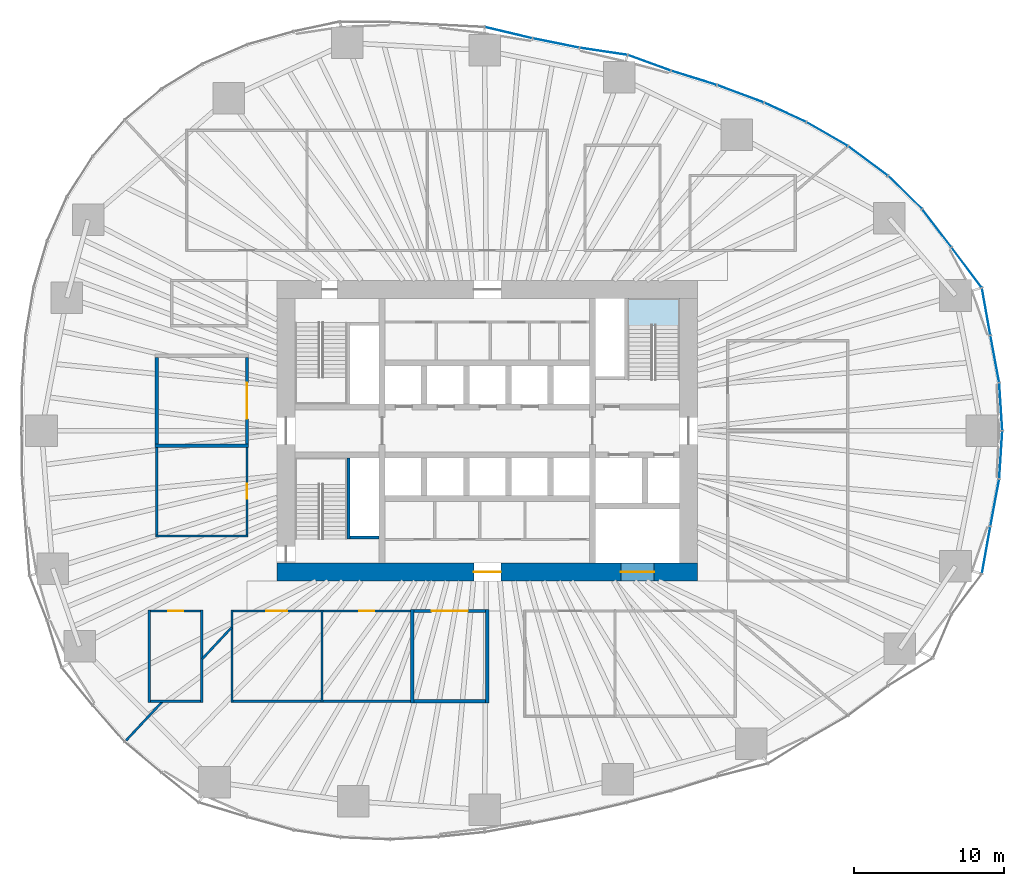
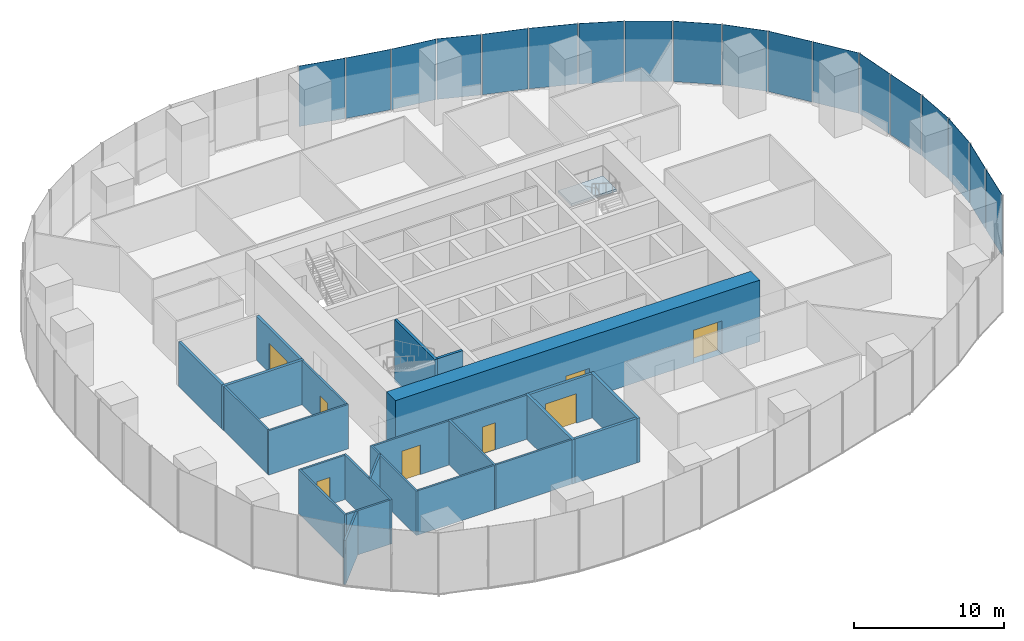
# One storey, part 9 of 20: 25 walls, 18 plates, 8 doors, 1 slab, 8 openings, 7 elements without a shape of their own.
"""IFC4 building model written with IfcOpenShell, lengths in metres."""

from ifc_helpers import new_model, si_unit, direction, frame, frame_2d, origin, origin_2d, place, context, subcontext, project, spatial, polyline, rectangle, outline, extrude, material, layer, layer_set, type_object, element, fill, aggregate, save


model = new_model("IFC4")

# Units and contexts
model_context = context("Model", 3, precision=1e-05, world=origin(), true_north=direction((0.0, 1.0)))
body_context = subcontext(model_context, "Body", "Model", "MODEL_VIEW")
ifc_project = project(units=[si_unit("LENGTHUNIT", "METRE"), si_unit("AREAUNIT", "SQUARE_METRE"), si_unit("VOLUMEUNIT", "CUBIC_METRE"), si_unit("PLANEANGLEUNIT", "RADIAN"), si_unit("MASSUNIT", "GRAM", prefix="KILO")], contexts=[model_context])

# Site, building, storey
site_placement = place(None, origin())
site = spatial("IfcSite", under=ifc_project, at=site_placement, CompositionType="ELEMENT")
building_placement = place(site_placement, origin())
building = spatial("IfcBuilding", under=site, at=building_placement, Name="Ghaith Harvest Tower", CompositionType="ELEMENT")
storey_placement = place(building_placement, frame((0.0, 0.0, 30.0)))
storey = spatial("IfcBuildingStorey", under=building, at=storey_placement, Name="L06", CompositionType="ELEMENT", Elevation=30.0)

# Curtain wall, plates
ifc_material_1 = material(Name="Black anodised aluminium and fritted glass", Category="aluminium")
curtain_wall_type = type_object("IfcCurtainWallType", Name="CW-F CURTAIN WALL", PredefinedType="NOTDEFINED", material=ifc_material_1)
curtain_wall_1_placement = place(storey_placement, origin())
curtain_wall_1 = element("IfcCurtainWall", 1, at=curtain_wall_1_placement, inside=storey, type_object=curtain_wall_type, Name="Curtain wall CW-F bay 01 L06", PredefinedType="NOTDEFINED")
ifc_material_2 = material(Name="Glass, high-transmission fritted double glazed unit", Category="glass")
ifc_layer_1 = layer(ifc_material_2, 0.028076171875)
ifc_layer_set_1 = layer_set([ifc_layer_1], Name="CW-F VISION PANEL")
plate_type = type_object("IfcPlateType", Name="CW-F VISION PANEL", PredefinedType="CURTAIN_PANEL", material=ifc_layer_set_1)
plate_1_placement = place(storey_placement, frame((34.181396484375, 1.602783203125, 0.080078125), z_axis=(0.0, 0.0, 1.0), x_axis=(-0.064445645786, 0.997921218704, 0.0)))
plate_1 = element("IfcPlate", 2, at=plate_1_placement, type_object=plate_type, Name="CW-F panel 1 bay 01 L06", PredefinedType="CURTAIN_PANEL", context=body_context, shape_type="SweptSolid", body=[
    extrude(rectangle(XDim=3.132080078125, YDim=0.028076171875, at=origin_2d()), origin(), (0.0, 0.0, 1.0), 4.919921875),
])
plate_2_placement = place(storey_placement, frame((33.78369140625, 4.78076171875, 0.080078125), z_axis=(0.0, 0.0, 1.0), x_axis=(-0.183569249502, 0.983006780565, 0.0)))
plate_2 = element("IfcPlate", 3, at=plate_2_placement, type_object=plate_type, Name="CW-F panel 2 bay 01 L06", PredefinedType="CURTAIN_PANEL", context=body_context, shape_type="SweptSolid", body=[
    extrude(rectangle(XDim=3.12548828125, YDim=0.028076171875, at=origin_2d()), origin(), (0.0, 0.0, 1.0), 4.919921875),
])
plate_3_placement = place(storey_placement, frame((33.20654296875, 7.93603515625, 0.080078125), z_axis=(0.0, 0.0, 1.0), x_axis=(-0.176319663586, 0.984332960046, 0.0)))
plate_3 = element("IfcPlate", 4, at=plate_3_placement, type_object=plate_type, Name="CW-F panel 3 bay 01 L06", PredefinedType="CURTAIN_PANEL", context=body_context, shape_type="SweptSolid", body=[
    extrude(rectangle(XDim=3.129638671875, YDim=0.028076171875, at=origin_2d()), origin(), (0.0, 0.0, 1.0), 4.919921875),
])
aggregate(curtain_wall_1, [plate_1, plate_2, plate_3])

curtain_wall_2_placement = place(storey_placement, origin())
curtain_wall_2 = element("IfcCurtainWall", 5, at=curtain_wall_2_placement, inside=storey, type_object=curtain_wall_type, Name="Curtain wall CW-F bay 02 L06", PredefinedType="NOTDEFINED")
plate_4_placement = place(storey_placement, frame((31.91015625, 10.865234375, 0.080078125), z_axis=(0.0, 0.0, 1.0), x_axis=(-0.600454091192, 0.799659230154, 0.0)))
plate_4 = element("IfcPlate", 6, at=plate_4_placement, type_object=plate_type, Name="CW-F panel 1 bay 02 L06", PredefinedType="CURTAIN_PANEL", context=body_context, shape_type="SweptSolid", body=[
    extrude(rectangle(XDim=3.295654296875, YDim=0.028076171875, at=origin_2d()), origin(), (0.0, 0.0, 1.0), 4.919921875),
])
plate_5_placement = place(storey_placement, frame((29.921875, 13.4892578125, 0.080078125), z_axis=(0.0, 0.0, 1.0), x_axis=(-0.607611877494, 0.794234100457, 0.0)))
plate_5 = element("IfcPlate", 7, at=plate_5_placement, type_object=plate_type, Name="CW-F panel 2 bay 02 L06", PredefinedType="CURTAIN_PANEL", context=body_context, shape_type="SweptSolid", body=[
    extrude(rectangle(XDim=3.128662109375, YDim=0.028076171875, at=origin_2d()), origin(), (0.0, 0.0, 1.0), 4.919921875),
])
plate_6_placement = place(storey_placement, frame((27.810546875, 15.869384765625, 0.080078125), z_axis=(0.0, 0.0, 1.0), x_axis=(-0.716691335472, 0.69739051446, 0.0)))
plate_6 = element("IfcPlate", 8, at=plate_6_placement, type_object=plate_type, Name="CW-F panel 3 bay 02 L06", PredefinedType="CURTAIN_PANEL", context=body_context, shape_type="SweptSolid", body=[
    extrude(rectangle(XDim=3.092041015625, YDim=0.028076171875, at=origin_2d()), origin(), (0.0, 0.0, 1.0), 4.919921875),
])
aggregate(curtain_wall_2, [plate_4, plate_5, plate_6])

curtain_wall_3_placement = place(storey_placement, origin())
curtain_wall_3 = element("IfcCurtainWall", 9, at=curtain_wall_3_placement, inside=storey, type_object=curtain_wall_type, Name="Curtain wall CW-F bay 03 L06", PredefinedType="NOTDEFINED")
plate_7_placement = place(storey_placement, frame((25.34619140625, 17.96142578125, 0.080078125), z_axis=(0.0, 0.0, 1.0), x_axis=(-0.802866788578, 0.596158468697, 0.0)))
plate_7 = element("IfcPlate", 10, at=plate_7_placement, type_object=plate_type, Name="CW-F panel 1 bay 03 L06", PredefinedType="CURTAIN_PANEL", context=body_context, shape_type="SweptSolid", body=[
    extrude(rectangle(XDim=3.2275390625, YDim=0.028076171875, at=origin_2d()), origin(), (0.0, 0.0, 1.0), 4.919921875),
])
plate_8_placement = place(storey_placement, frame((22.626953125, 19.750244140625, 0.080078125), z_axis=(0.0, 0.0, 1.0), x_axis=(-0.866159208358, 0.499768172033, 0.0)))
plate_8 = element("IfcPlate", 11, at=plate_8_placement, type_object=plate_type, Name="CW-F panel 2 bay 03 L06", PredefinedType="CURTAIN_PANEL", context=body_context, shape_type="SweptSolid", body=[
    extrude(rectangle(XDim=3.1328125, YDim=0.028076171875, at=origin_2d()), origin(), (0.0, 0.0, 1.0), 4.919921875),
])
plate_9_placement = place(storey_placement, frame((19.8291015625, 21.19970703125, 0.080078125), z_axis=(0.0, 0.0, 1.0), x_axis=(-0.908529586897, 0.417820523351, 0.0)))
plate_9 = element("IfcPlate", 12, at=plate_9_placement, type_object=plate_type, Name="CW-F panel 3 bay 03 L06", PredefinedType="CURTAIN_PANEL", context=body_context, shape_type="SweptSolid", body=[
    extrude(rectangle(XDim=3.01611328125, YDim=0.028076171875, at=origin_2d()), origin(), (0.0, 0.0, 1.0), 4.919921875),
])
aggregate(curtain_wall_3, [plate_7, plate_8, plate_9])

curtain_wall_4_placement = place(storey_placement, origin())
curtain_wall_4 = element("IfcCurtainWall", 13, at=curtain_wall_4_placement, inside=storey, type_object=curtain_wall_type, Name="Curtain wall CW-F bay 04 L06", PredefinedType="NOTDEFINED")
plate_10_placement = place(storey_placement, frame((16.85498046875, 22.431396484375, 0.080078125), z_axis=(0.0, 0.0, 1.0), x_axis=(-0.936926487964, 0.349526474178, 0.0)))
plate_10 = element("IfcPlate", 14, at=plate_10_placement, type_object=plate_type, Name="CW-F panel 1 bay 04 L06", PredefinedType="CURTAIN_PANEL", context=body_context, shape_type="SweptSolid", body=[
    extrude(rectangle(XDim=3.26611328125, YDim=0.028076171875, at=origin_2d()), origin(), (0.0, 0.0, 1.0), 4.919921875),
])
plate_11_placement = place(storey_placement, frame((13.760986328125, 23.490234375, 0.080078125), z_axis=(0.0, 0.0, 1.0), x_axis=(-0.954988265421, 0.296643578911, 0.0)))
plate_11 = element("IfcPlate", 15, at=plate_11_placement, type_object=plate_type, Name="CW-F panel 2 bay 04 L06", PredefinedType="CURTAIN_PANEL", context=body_context, shape_type="SweptSolid", body=[
    extrude(rectangle(XDim=3.1171875, YDim=0.028076171875, at=origin_2d()), origin(), (0.0, 0.0, 1.0), 4.919921875),
])
plate_12_placement = place(storey_placement, frame((10.793212890625, 24.490234375, 0.080078125), z_axis=(0.0, 0.0, 1.0), x_axis=(-0.939438435482, 0.342717705902, 0.0)))
plate_12 = element("IfcPlate", 16, at=plate_12_placement, type_object=plate_type, Name="CW-F panel 3 bay 04 L06", PredefinedType="CURTAIN_PANEL", context=body_context, shape_type="SweptSolid", body=[
    extrude(rectangle(XDim=2.98828125, YDim=0.028076171875, at=origin_2d()), origin(), (0.0, 0.0, 1.0), 4.919921875),
])
aggregate(curtain_wall_4, [plate_10, plate_11, plate_12])

curtain_wall_5_placement = place(storey_placement, origin())
curtain_wall_5 = element("IfcCurtainWall", 17, at=curtain_wall_5_placement, inside=storey, type_object=curtain_wall_type, Name="Curtain wall CW-F bay 05 L06", PredefinedType="NOTDEFINED")
plate_13_placement = place(storey_placement, frame((7.744384765625, 25.255615234375, 0.080078125), z_axis=(0.0, 0.0, 1.0), x_axis=(-0.989074249382, 0.147418211935, 0.0)))
plate_13 = element("IfcPlate", 18, at=plate_13_placement, type_object=plate_type, Name="CW-F panel 1 bay 05 L06", PredefinedType="CURTAIN_PANEL", context=body_context, shape_type="SweptSolid", body=[
    extrude(rectangle(XDim=3.17041015625, YDim=0.028076171875, at=origin_2d()), origin(), (0.0, 0.0, 1.0), 4.919921875),
])
plate_14_placement = place(storey_placement, frame((4.5732421875, 25.809326171875, 0.080078125), z_axis=(0.0, 0.0, 1.0), x_axis=(-0.980432348069, 0.196856320344, 0.0)))
plate_14 = element("IfcPlate", 19, at=plate_14_placement, type_object=plate_type, Name="CW-F panel 2 bay 05 L06", PredefinedType="CURTAIN_PANEL", context=body_context, shape_type="SweptSolid", body=[
    extrude(rectangle(XDim=3.1103515625, YDim=0.028076171875, at=origin_2d()), origin(), (0.0, 0.0, 1.0), 4.919921875),
])
plate_15_placement = place(storey_placement, frame((1.41259765625, 26.500244140625, 0.080078125), z_axis=(0.0, 0.0, 1.0), x_axis=(-0.97324595378, 0.229765779545, 0.0)))
plate_15 = element("IfcPlate", 20, at=plate_15_placement, type_object=plate_type, Name="CW-F panel 3 bay 05 L06", PredefinedType="CURTAIN_PANEL", context=body_context, shape_type="SweptSolid", body=[
    extrude(rectangle(XDim=3.200927734375, YDim=0.028076171875, at=origin_2d()), origin(), (0.0, 0.0, 1.0), 4.919921875),
])
aggregate(curtain_wall_5, [plate_13, plate_14, plate_15])

curtain_wall_6_placement = place(storey_placement, origin())
curtain_wall_6 = element("IfcCurtainWall", 21, at=curtain_wall_6_placement, inside=storey, type_object=curtain_wall_type, Name="Curtain wall CW-F bay 20 L06", PredefinedType="NOTDEFINED")
plate_16_placement = place(storey_placement, frame((33.20654296875, -7.93603515625, 0.080078125), z_axis=(0.0, 0.0, 1.0), x_axis=(0.176319663878, 0.984332959994, 0.0)))
plate_16 = element("IfcPlate", 22, at=plate_16_placement, type_object=plate_type, Name="CW-F panel 1 bay 20 L06", PredefinedType="CURTAIN_PANEL", context=body_context, shape_type="SweptSolid", body=[
    extrude(rectangle(XDim=3.129638671875, YDim=0.028076171875, at=origin_2d()), origin(), (0.0, 0.0, 1.0), 4.919921875),
])
plate_17_placement = place(storey_placement, frame((33.78369140625, -4.78076171875, 0.080078125), z_axis=(0.0, 0.0, 1.0), x_axis=(0.183569249777, 0.983006780514, 0.0)))
plate_17 = element("IfcPlate", 23, at=plate_17_placement, type_object=plate_type, Name="CW-F panel 2 bay 20 L06", PredefinedType="CURTAIN_PANEL", context=body_context, shape_type="SweptSolid", body=[
    extrude(rectangle(XDim=3.12548828125, YDim=0.028076171875, at=origin_2d()), origin(), (0.0, 0.0, 1.0), 4.919921875),
])
plate_18_placement = place(storey_placement, frame((34.181396484375, -1.602783203125, 0.080078125), z_axis=(0.0, 0.0, 1.0), x_axis=(0.064445645891, 0.997921218697, 0.0)))
plate_18 = element("IfcPlate", 24, at=plate_18_placement, type_object=plate_type, Name="CW-F panel 3 bay 20 L06", PredefinedType="CURTAIN_PANEL", context=body_context, shape_type="SweptSolid", body=[
    extrude(rectangle(XDim=3.132080078125, YDim=0.028076171875, at=origin_2d()), origin(), (0.0, 0.0, 1.0), 4.919921875),
])
aggregate(curtain_wall_6, [plate_16, plate_17, plate_18])

# Stair, slab
ifc_material_3 = material(Name="Concrete C40/50, precast", Category="concrete")
stair_type = type_object("IfcStairType", Name="CORE STAIR 28R", PredefinedType="HALF_TURN_STAIR", material=ifc_material_3)
stair_placement = place(storey_placement, origin())
stair = element("IfcStair", 25, at=stair_placement, inside=storey, type_object=stair_type, Name="Stair ST2 L06", PredefinedType="HALF_TURN_STAIR")
ifc_material_4 = material(Name="Concrete C40/50, precast", Category="concrete")
ifc_layer_2 = layer(ifc_material_4, 0.179931640625)
ifc_layer_set_2 = layer_set([ifc_layer_2], Name="STAIR LANDING 180")
slab_type = type_object("IfcSlabType", Name="STAIR LANDING 180", PredefinedType="LANDING", material=ifc_layer_set_2)
slab_placement = place(storey_placement, frame((0.0, 0.0, 2.320068359375)))
slab = element("IfcSlab", 26, at=slab_placement, type_object=slab_type, Name="ST2 landing 1", PredefinedType="LANDING", context=body_context, shape_type="SweptSolid", body=[
    extrude(outline(polyline([(12.800048828125, 7.02001953125), (12.800048828125, 8.800048828125), (9.35009765625, 8.800048828125), (9.35009765625, 7.02001953125), (12.800048828125, 7.02001953125)])), origin(), (0.0, 0.0, 1.0), 0.179931640625),
])
aggregate(stair, [slab])

# Walls
ifc_material_5 = material(Name="Concrete blockwork, 1-hour", Category="masonry")
ifc_layer_3 = layer(ifc_material_5, 0.215087890625)
ifc_layer_set_3 = layer_set([ifc_layer_3], Name="BLOCKWORK WALL 215")
wall_type_1 = type_object("IfcWallType", Name="BLOCKWORK WALL 215", PredefinedType="PARTITIONING", material=ifc_layer_set_3)
for number, where, z_axis, x_axis, name in (
    (27, (-5.0, -11.892578125, 0.0), (0.0, 0.0, 1.0), (0.0, -1.0, 0.0), "Partition L06 row S4 cross wall 3"),
    (28, (0.0, -11.892578125, 0.0), (0.0, 0.0, 1.0), (0.0, -1.0, 0.0), "Partition L06 row S4 cross wall 4"),
):
    element("IfcWall", number, at=place(storey_placement, frame(where, z_axis=z_axis, x_axis=x_axis)), inside=storey, type_object=wall_type_1, Name=name, PredefinedType="PARTITIONING", context=body_context, shape_type="SweptSolid", body=[
        extrude(rectangle(XDim=6.21484375, YDim=0.215087890625, at=frame_2d((3.107421875, 0.0))), origin(), (0.0, 0.0, 1.0), 3.60009765625),
    ])

# Wall, opening, door
wall_1_placement = place(storey_placement, frame((-4.892578125, -12.0, 0.0), z_axis=(0.0, 0.0, 1.0), x_axis=(1.0, 0.0, 0.0)))
wall_1 = element("IfcWall", 29, at=wall_1_placement, inside=storey, type_object=wall_type_1, Name="Partition L06-09", PredefinedType="PARTITIONING", context=body_context, shape_type="SweptSolid", body=[
    extrude(rectangle(XDim=4.78515625, YDim=0.215087890625, at=frame_2d((2.392578125, 0.0))), origin(), (0.0, 0.0, 1.0), 3.60009765625),
])
opening_1_placement = place(wall_1_placement, frame((1.1923828125, 0.0, 0.0)))
opening_1 = element("IfcOpeningElement", 30, at=opening_1_placement, cuts=wall_1, Name="Opening 06-034", PredefinedType="OPENING", context=body_context, shape_type="SweptSolid", body=[
    extrude(rectangle(XDim=2.39990234375, YDim=2.39990234375, at=frame_2d((1.199951171875, 1.199951171875))), frame((0.0, 0.11767578125, 0.0), z_axis=(0.0, -1.0, 0.0), x_axis=(1.0, 0.0, 0.0)), (0.0, 0.0, 1.0), 0.235107421875),
])
ifc_material_6 = material(Name="Timber door", Category="wood")
door_type_1 = type_object("IfcDoorType", Name="D10 PLANT PAIR 2400x2400", OperationType="DOUBLE_DOOR_SINGLE_SWING", PredefinedType="DOOR", material=ifc_material_6)
door_1_placement = place(opening_1_placement, origin())
door_1 = element("IfcDoor", 31, at=door_1_placement, inside=storey, type_object=door_type_1, Name="Nutrient tank room door", OperationType="DOUBLE_DOOR_SINGLE_SWING", OverallHeight=2.39990234375, OverallWidth=2.39990234375, PredefinedType="DOOR", context=body_context, shape_type="SweptSolid", body=[
    extrude(rectangle(XDim=2.39990234375, YDim=2.39990234375, at=frame_2d((1.199951171875, 1.199951171875))), frame((0.0, 0.02490234375, 0.0), z_axis=(0.0, -1.0, 0.0), x_axis=(1.0, 0.0, 0.0)), (0.0, 0.0, 1.0), 0.050048828125),
])
fill(opening_1, door_1)

# Walls
wall_2_placement = place(storey_placement, frame((-4.892578125, -18.0, 0.0), z_axis=(0.0, 0.0, 1.0), x_axis=(1.0, 0.0, 0.0)))
element("IfcWall", 32, at=wall_2_placement, inside=storey, type_object=wall_type_1, Name="Partition L06-09", PredefinedType="PARTITIONING", context=body_context, shape_type="SweptSolid", body=[
    extrude(rectangle(XDim=4.78515625, YDim=0.215087890625, at=frame_2d((2.392578125, 0.0))), origin(), (0.0, 0.0, 1.0), 3.60009765625),
])
wall_3_placement = place(storey_placement, frame((-15.892578125, -1.0, 0.0), z_axis=(0.0, 0.0, 1.0), x_axis=(-1.0, 0.0, 0.0)))
element("IfcWall", 33, at=wall_3_placement, inside=storey, type_object=wall_type_1, Name="Partition L06 row W6 cross wall 2", PredefinedType="PARTITIONING", context=body_context, shape_type="SweptSolid", body=[
    extrude(rectangle(XDim=6.21484375, YDim=0.215087890625, at=frame_2d((3.107421875, 0.0))), origin(), (0.0, 0.0, 1.0), 3.60009765625),
])

# Wall, opening, door
wall_4_placement = place(storey_placement, frame((-16.0, -0.892578125, 0.0), z_axis=(0.0, 0.0, 1.0), x_axis=(0.0, 1.0, 0.0)))
wall_4 = element("IfcWall", 34, at=wall_4_placement, inside=storey, type_object=wall_type_1, Name="Partition L06-13", PredefinedType="PARTITIONING", context=body_context, shape_type="SweptSolid", body=[
    extrude(rectangle(XDim=5.78515625, YDim=0.215087890625, at=frame_2d((2.892578125, 0.0))), origin(), (0.0, 0.0, 1.0), 3.60009765625),
])
opening_2_placement = place(wall_4_placement, frame((1.6923828125, 0.0, 0.0)))
opening_2 = element("IfcOpeningElement", 35, at=opening_2_placement, cuts=wall_4, Name="Opening 06-038", PredefinedType="OPENING", context=body_context, shape_type="SweptSolid", body=[
    extrude(rectangle(XDim=2.39990234375, YDim=2.39990234375, at=frame_2d((1.199951171875, 1.199951171875))), frame((0.0, 0.11767578125, 0.0), z_axis=(0.0, -1.0, 0.0), x_axis=(1.0, 0.0, 0.0)), (0.0, 0.0, 1.0), 0.235107421875),
])
door_2_placement = place(opening_2_placement, origin())
door_2 = element("IfcDoor", 36, at=door_2_placement, inside=storey, type_object=door_type_1, Name="Water treatment room door", OperationType="DOUBLE_DOOR_SINGLE_SWING", OverallHeight=2.39990234375, OverallWidth=2.39990234375, PredefinedType="DOOR", context=body_context, shape_type="SweptSolid", body=[
    extrude(rectangle(XDim=2.39990234375, YDim=2.39990234375, at=frame_2d((1.199951171875, 1.199951171875))), frame((0.0, 0.02490234375, 0.0), z_axis=(0.0, -1.0, 0.0), x_axis=(1.0, 0.0, 0.0)), (0.0, 0.0, 1.0), 0.050048828125),
])
fill(opening_2, door_2)

# Wall
wall_5_placement = place(storey_placement, frame((-22.0, -0.892578125, 0.0), z_axis=(0.0, 0.0, 1.0), x_axis=(0.0, 1.0, 0.0)))
element("IfcWall", 37, at=wall_5_placement, inside=storey, type_object=wall_type_1, Name="Partition L06-13", PredefinedType="PARTITIONING", context=body_context, shape_type="SweptSolid", body=[
    extrude(rectangle(XDim=5.78515625, YDim=0.215087890625, at=frame_2d((2.892578125, 0.0))), origin(), (0.0, 0.0, 1.0), 3.60009765625),
])

# Wall, openings, doors
ifc_material_7 = material(Name="Concrete C70/85", Category="concrete")
ifc_layer_4 = layer(ifc_material_7, 1.199951171875)
ifc_layer_set_4 = layer_set([ifc_layer_4], Name="CORE WALL CW1200")
wall_type_2 = type_object("IfcWallType", Name="CORE WALL CW1200", PredefinedType="SHEAR", material=ifc_layer_set_4)
wall_6_placement = place(storey_placement, frame((-14.0, -9.39990234375, 0.0), z_axis=(0.0, 0.0, 1.0), x_axis=(1.0, 0.0, 0.0)))
wall_6 = element("IfcWall", 38, at=wall_6_placement, inside=storey, type_object=wall_type_2, Name="Core wall S L06", PredefinedType="SHEAR", context=body_context, shape_type="SweptSolid", body=[
    extrude(rectangle(XDim=28.0, YDim=1.199951171875, at=frame_2d((14.0, 0.0))), origin(), (0.0, 0.0, 1.0), 5.0),
])
opening_3_placement = place(wall_6_placement, frame((13.10009765625, 0.0, 0.0)))
opening_3 = element("IfcOpeningElement", 39, at=opening_3_placement, cuts=wall_6, Name="Opening 06-018", PredefinedType="OPENING", context=body_context, shape_type="SweptSolid", body=[
    extrude(rectangle(XDim=1.800048828125, YDim=2.39990234375, at=frame_2d((0.89990234375, 1.199951171875))), frame((0.0, 0.60986328125, 0.0), z_axis=(0.0, -1.0, 0.0), x_axis=(1.0, 0.0, 0.0)), (0.0, 0.0, 1.0), 1.219970703125),
])
opening_4_placement = place(wall_6_placement, frame((22.89990234375, 0.0, 0.0)))
opening_4 = element("IfcOpeningElement", 40, at=opening_4_placement, cuts=wall_6, Name="Opening 06-025", PredefinedType="OPENING", context=body_context, shape_type="SweptSolid", body=[
    extrude(rectangle(XDim=2.199951171875, YDim=2.699951171875, at=frame_2d((1.10009765625, 1.35009765625))), frame((0.0, 0.60986328125, 0.0), z_axis=(0.0, -1.0, 0.0), x_axis=(1.0, 0.0, 0.0)), (0.0, 0.0, 1.0), 1.219970703125),
])
ifc_material_8 = material(Name="Steel fire door", Category="steel")
door_type_2 = type_object("IfcDoorType", Name="D4 FD90 PAIR 1800x2400", OperationType="DOUBLE_DOOR_SINGLE_SWING", PredefinedType="DOOR", material=ifc_material_8)
door_3_placement = place(opening_3_placement, origin())
door_3 = element("IfcDoor", 41, at=door_3_placement, inside=storey, type_object=door_type_2, Name="Core service corridor doors", OperationType="DOUBLE_DOOR_SINGLE_SWING", OverallHeight=2.39990234375, OverallWidth=1.800048828125, PredefinedType="DOOR", context=body_context, shape_type="SweptSolid", body=[
    extrude(rectangle(XDim=1.800048828125, YDim=2.39990234375, at=frame_2d((0.89990234375, 1.199951171875))), frame((0.0, 0.02490234375, 0.0), z_axis=(0.0, -1.0, 0.0), x_axis=(1.0, 0.0, 0.0)), (0.0, 0.0, 1.0), 0.050048828125),
])
fill(opening_3, door_3)
ifc_material_9 = material(Name="Steel fire door", Category="steel")
door_type_3 = type_object("IfcDoorType", Name="LD3 LANDING 2200x2700", OperationType="DOUBLE_DOOR_SLIDING", PredefinedType="DOOR", material=ifc_material_9)
door_4_placement = place(opening_4_placement, origin())
door_4 = element("IfcDoor", 42, at=door_4_placement, inside=storey, type_object=door_type_3, Name="Landing door, goods lift GL1", OperationType="DOUBLE_DOOR_SLIDING", OverallHeight=2.699951171875, OverallWidth=2.199951171875, PredefinedType="DOOR", context=body_context, shape_type="SweptSolid", body=[
    extrude(rectangle(XDim=2.199951171875, YDim=2.699951171875, at=frame_2d((1.10009765625, 1.35009765625))), frame((0.0, 0.02490234375, 0.0), z_axis=(0.0, -1.0, 0.0), x_axis=(1.0, 0.0, 0.0)), (0.0, 0.0, 1.0), 0.050048828125),
])
fill(opening_4, door_4)

# Walls
ifc_material_10 = material(Name="Gypsum board on steel studs", Category="steel")
ifc_layer_5 = layer(ifc_material_10, 0.14990234375)
ifc_layer_set_5 = layer_set([ifc_layer_5], Name="PARTITION 150")
wall_type_3 = type_object("IfcWallType", Name="PARTITION 150", PredefinedType="PARTITIONING", material=ifc_layer_set_5)
for number, where, z_axis, x_axis, name in (
    (43, (-17.0, -11.925048828125, 0.0), (0.0, 0.0, 1.0), (0.0, -1.0, 0.0), "Partition L06 row S4 cross wall 1"),
    (44, (-11.0, -11.925048828125, 0.0), (0.0, 0.0, 1.0), (0.0, -1.0, 0.0), "Partition L06 row S4 cross wall 2"),
):
    element("IfcWall", number, at=place(storey_placement, frame(where, z_axis=z_axis, x_axis=x_axis)), inside=storey, type_object=wall_type_3, Name=name, PredefinedType="PARTITIONING", context=body_context, shape_type="SweptSolid", body=[
        extrude(rectangle(XDim=6.14990234375, YDim=0.14990234375, at=frame_2d((3.074951171875, 0.0))), origin(), (0.0, 0.0, 1.0), 3.60009765625),
    ])

# Wall, opening, door
wall_7_placement = place(storey_placement, frame((-16.925048828125, -12.0, 0.0), z_axis=(0.0, 0.0, 1.0), x_axis=(1.0, 0.0, 0.0)))
wall_7 = element("IfcWall", 45, at=wall_7_placement, inside=storey, type_object=wall_type_3, Name="Partition L06-07", PredefinedType="PARTITIONING", context=body_context, shape_type="SweptSolid", body=[
    extrude(rectangle(XDim=5.85009765625, YDim=0.14990234375, at=frame_2d((2.925048828125, 0.0))), origin(), (0.0, 0.0, 1.0), 3.60009765625),
])
opening_5_placement = place(wall_7_placement, frame((2.22509765625, 0.0, 0.0)))
opening_5 = element("IfcOpeningElement", 46, at=opening_5_placement, cuts=wall_7, Name="Opening 06-032", PredefinedType="OPENING", context=body_context, shape_type="SweptSolid", body=[
    extrude(rectangle(XDim=1.39990234375, YDim=2.39990234375, at=frame_2d((0.699951171875, 1.199951171875))), frame((0.0, 0.0849609375, 0.0), z_axis=(0.0, -1.0, 0.0), x_axis=(1.0, 0.0, 0.0)), (0.0, 0.0, 1.0), 0.169921875),
])
ifc_material_11 = material(Name="Stainless steel faced door pair", Category="steel")
door_type_4 = type_object("IfcDoorType", Name="D14 HYGIENE PAIR 1400x2400", OperationType="DOUBLE_DOOR_DOUBLE_SWING", PredefinedType="DOOR", material=ifc_material_11)
door_5_placement = place(opening_5_placement, origin())
door_5 = element("IfcDoor", 47, at=door_5_placement, inside=storey, type_object=door_type_4, Name="Tray wash room door", OperationType="DOUBLE_DOOR_DOUBLE_SWING", OverallHeight=2.39990234375, OverallWidth=1.39990234375, PredefinedType="DOOR", context=body_context, shape_type="SweptSolid", body=[
    extrude(rectangle(XDim=1.39990234375, YDim=2.39990234375, at=frame_2d((0.699951171875, 1.199951171875))), frame((0.0, 0.02490234375, 0.0), z_axis=(0.0, -1.0, 0.0), x_axis=(1.0, 0.0, 0.0)), (0.0, 0.0, 1.0), 0.050048828125),
])
fill(opening_5, door_5)

# Wall
wall_8_placement = place(storey_placement, frame((-16.925048828125, -18.0, 0.0), z_axis=(0.0, 0.0, 1.0), x_axis=(1.0, 0.0, 0.0)))
element("IfcWall", 48, at=wall_8_placement, inside=storey, type_object=wall_type_3, Name="Partition L06-07", PredefinedType="PARTITIONING", context=body_context, shape_type="SweptSolid", body=[
    extrude(rectangle(XDim=5.85009765625, YDim=0.14990234375, at=frame_2d((2.925048828125, 0.0))), origin(), (0.0, 0.0, 1.0), 3.60009765625),
])

# Wall, opening, door
wall_9_placement = place(storey_placement, frame((-10.925048828125, -12.0, 0.0), z_axis=(0.0, 0.0, 1.0), x_axis=(1.0, 0.0, 0.0)))
wall_9 = element("IfcWall", 49, at=wall_9_placement, inside=storey, type_object=wall_type_3, Name="Partition L06-08", PredefinedType="PARTITIONING", context=body_context, shape_type="SweptSolid", body=[
    extrude(rectangle(XDim=5.817626953125, YDim=0.14990234375, at=frame_2d((2.90869140625, 0.0))), origin(), (0.0, 0.0, 1.0), 3.60009765625),
])
opening_6_placement = place(wall_9_placement, frame((2.40869140625, 0.0, 0.0)))
opening_6 = element("IfcOpeningElement", 50, at=opening_6_placement, cuts=wall_9, Name="Opening 06-033", PredefinedType="OPENING", context=body_context, shape_type="SweptSolid", body=[
    extrude(rectangle(XDim=1.0, YDim=2.199951171875, at=frame_2d((0.5, 1.10009765625))), frame((0.0, 0.0849609375, 0.0), z_axis=(0.0, -1.0, 0.0), x_axis=(1.0, 0.0, 0.0)), (0.0, 0.0, 1.0), 0.169921875),
])
ifc_material_12 = material(Name="Timber door", Category="wood")
door_type_5 = type_object("IfcDoorType", Name="D1 SINGLE 1000x2200", OperationType="SINGLE_SWING_LEFT", PredefinedType="DOOR", material=ifc_material_12)
door_6_placement = place(opening_6_placement, origin())
door_6 = element("IfcDoor", 51, at=door_6_placement, inside=storey, type_object=door_type_5, Name="Nutrient dosing room door", OperationType="SINGLE_SWING_LEFT", OverallHeight=2.199951171875, OverallWidth=1.0, PredefinedType="DOOR", context=body_context, shape_type="SweptSolid", body=[
    extrude(rectangle(XDim=1.0, YDim=2.199951171875, at=frame_2d((0.5, 1.10009765625))), frame((0.0, 0.02490234375, 0.0), z_axis=(0.0, -1.0, 0.0), x_axis=(1.0, 0.0, 0.0)), (0.0, 0.0, 1.0), 0.050048828125),
])
fill(opening_6, door_6)

# Walls
wall_10_placement = place(storey_placement, frame((-10.925048828125, -18.0, 0.0), z_axis=(0.0, 0.0, 1.0), x_axis=(1.0, 0.0, 0.0)))
element("IfcWall", 52, at=wall_10_placement, inside=storey, type_object=wall_type_3, Name="Partition L06-08", PredefinedType="PARTITIONING", context=body_context, shape_type="SweptSolid", body=[
    extrude(rectangle(XDim=5.817626953125, YDim=0.14990234375, at=frame_2d((2.90869140625, 0.0))), origin(), (0.0, 0.0, 1.0), 3.60009765625),
])
wall_11_placement = place(storey_placement, frame((-15.925048828125, -7.0, 0.0), z_axis=(0.0, 0.0, 1.0), x_axis=(-1.0, 0.0, 0.0)))
element("IfcWall", 53, at=wall_11_placement, inside=storey, type_object=wall_type_3, Name="Partition L06 row W6 cross wall 1", PredefinedType="PARTITIONING", context=body_context, shape_type="SweptSolid", body=[
    extrude(rectangle(XDim=6.14990234375, YDim=0.14990234375, at=frame_2d((3.074951171875, 0.0))), origin(), (0.0, 0.0, 1.0), 3.60009765625),
])

# Wall, opening, door
wall_12_placement = place(storey_placement, frame((-16.0, -6.925048828125, 0.0), z_axis=(0.0, 0.0, 1.0), x_axis=(0.0, 1.0, 0.0)))
wall_12 = element("IfcWall", 54, at=wall_12_placement, inside=storey, type_object=wall_type_3, Name="Partition L06-12", PredefinedType="PARTITIONING", context=body_context, shape_type="SweptSolid", body=[
    extrude(rectangle(XDim=5.817626953125, YDim=0.14990234375, at=frame_2d((2.90869140625, 0.0))), origin(), (0.0, 0.0, 1.0), 3.60009765625),
])
opening_7_placement = place(wall_12_placement, frame((2.40869140625, 0.0, 0.0)))
opening_7 = element("IfcOpeningElement", 55, at=opening_7_placement, cuts=wall_12, Name="Opening 06-037", PredefinedType="OPENING", context=body_context, shape_type="SweptSolid", body=[
    extrude(rectangle(XDim=1.0, YDim=2.199951171875, at=frame_2d((0.5, 1.10009765625))), frame((0.0, 0.0849609375, 0.0), z_axis=(0.0, -1.0, 0.0), x_axis=(1.0, 0.0, 0.0)), (0.0, 0.0, 1.0), 0.169921875),
])
door_7_placement = place(opening_7_placement, origin())
door_7 = element("IfcDoor", 56, at=door_7_placement, inside=storey, type_object=door_type_5, Name="Substrate store door", OperationType="SINGLE_SWING_LEFT", OverallHeight=2.199951171875, OverallWidth=1.0, PredefinedType="DOOR", context=body_context, shape_type="SweptSolid", body=[
    extrude(rectangle(XDim=1.0, YDim=2.199951171875, at=frame_2d((0.5, 1.10009765625))), frame((0.0, 0.02490234375, 0.0), z_axis=(0.0, -1.0, 0.0), x_axis=(1.0, 0.0, 0.0)), (0.0, 0.0, 1.0), 0.050048828125),
])
fill(opening_7, door_7)

# Walls
wall_13_placement = place(storey_placement, frame((-22.0, -6.925048828125, 0.0), z_axis=(0.0, 0.0, 1.0), x_axis=(0.0, 1.0, 0.0)))
element("IfcWall", 57, at=wall_13_placement, inside=storey, type_object=wall_type_3, Name="Partition L06-12", PredefinedType="PARTITIONING", context=body_context, shape_type="SweptSolid", body=[
    extrude(rectangle(XDim=5.817626953125, YDim=0.14990234375, at=frame_2d((2.90869140625, 0.0))), origin(), (0.0, 0.0, 1.0), 3.60009765625),
])
for number, where, z_axis, x_axis, name in (
    (58, (-22.5, -11.925048828125, 0.0), (0.0, 0.0, 1.0), (0.0, -1.0, 0.0), "Partition L06 row S8 cross wall 1"),
    (59, (-19.0, -11.925048828125, 0.0), (0.0, 0.0, 1.0), (0.0, -1.0, 0.0), "Partition L06 row S8 cross wall 2"),
):
    element("IfcWall", number, at=place(storey_placement, frame(where, z_axis=z_axis, x_axis=x_axis)), inside=storey, type_object=wall_type_3, Name=name, PredefinedType="PARTITIONING", context=body_context, shape_type="SweptSolid", body=[
        extrude(rectangle(XDim=6.14990234375, YDim=0.14990234375, at=frame_2d((3.074951171875, 0.0))), origin(), (0.0, 0.0, 1.0), 3.60009765625),
    ])

# Wall, opening, door
wall_14_placement = place(storey_placement, frame((-22.425048828125, -12.0, 0.0), z_axis=(0.0, 0.0, 1.0), x_axis=(1.0, 0.0, 0.0)))
wall_14 = element("IfcWall", 60, at=wall_14_placement, inside=storey, type_object=wall_type_3, Name="Partition L06-15", PredefinedType="PARTITIONING", context=body_context, shape_type="SweptSolid", body=[
    extrude(rectangle(XDim=3.35009765625, YDim=0.14990234375, at=frame_2d((1.675048828125, 0.0))), origin(), (0.0, 0.0, 1.0), 3.60009765625),
])
opening_8_placement = place(wall_14_placement, frame((1.175048828125, 0.0, 0.0)))
opening_8 = element("IfcOpeningElement", 61, at=opening_8_placement, cuts=wall_14, Name="Opening 06-040", PredefinedType="OPENING", context=body_context, shape_type="SweptSolid", body=[
    extrude(rectangle(XDim=1.0, YDim=2.199951171875, at=frame_2d((0.5, 1.10009765625))), frame((0.0, 0.0849609375, 0.0), z_axis=(0.0, -1.0, 0.0), x_axis=(1.0, 0.0, 0.0)), (0.0, 0.0, 1.0), 0.169921875),
])
door_8_placement = place(opening_8_placement, origin())
door_8 = element("IfcDoor", 62, at=door_8_placement, inside=storey, type_object=door_type_5, Name="Tray store door", OperationType="SINGLE_SWING_LEFT", OverallHeight=2.199951171875, OverallWidth=1.0, PredefinedType="DOOR", context=body_context, shape_type="SweptSolid", body=[
    extrude(rectangle(XDim=1.0, YDim=2.199951171875, at=frame_2d((0.5, 1.10009765625))), frame((0.0, 0.02490234375, 0.0), z_axis=(0.0, -1.0, 0.0), x_axis=(1.0, 0.0, 0.0)), (0.0, 0.0, 1.0), 0.050048828125),
])
fill(opening_8, door_8)

# Walls
wall_15_placement = place(storey_placement, frame((-22.425048828125, -18.0, 0.0), z_axis=(0.0, 0.0, 1.0), x_axis=(1.0, 0.0, 0.0)))
element("IfcWall", 63, at=wall_15_placement, inside=storey, type_object=wall_type_3, Name="Partition L06-15", PredefinedType="PARTITIONING", context=body_context, shape_type="SweptSolid", body=[
    extrude(rectangle(XDim=3.35009765625, YDim=0.14990234375, at=frame_2d((1.675048828125, 0.0))), origin(), (0.0, 0.0, 1.0), 3.60009765625),
])
wall_16_placement = place(storey_placement, frame((-21.621826171875, -18.02001953125, 0.0), z_axis=(0.0, 0.0, 1.0), x_axis=(-0.682522451791, -0.730864626864, 0.0)))
element("IfcWall", 64, at=wall_16_placement, inside=storey, type_object=wall_type_3, Name="Partition L06 zone division", PredefinedType="PARTITIONING", context=body_context, shape_type="SweptSolid", body=[
    extrude(rectangle(XDim=3.53515625, YDim=0.14990234375, at=frame_2d((1.767578125, 0.0))), origin(), (0.0, 0.0, 1.0), 3.60009765625),
])
wall_17_placement = place(storey_placement, frame((-17.02001953125, -13.09228515625, 0.0), z_axis=(0.0, 0.0, 1.0), x_axis=(-0.682506029746, -0.730879962347, 0.0)))
element("IfcWall", 65, at=wall_17_placement, inside=storey, type_object=wall_type_3, Name="Partition L06 zone division", PredefinedType="PARTITIONING", context=body_context, shape_type="SweptSolid", body=[
    extrude(rectangle(XDim=2.871826171875, YDim=0.14990234375, at=frame_2d((1.43603515625, 0.0))), origin(), (0.0, 0.0, 1.0), 3.60009765625),
])
ifc_material_13 = material(Name="Concrete C40/50", Category="concrete")
ifc_layer_6 = layer(ifc_material_13, 0.199951171875)
ifc_layer_set_6 = layer_set([ifc_layer_6], Name="STAIR SPINE WALL RC200")
wall_type_4 = type_object("IfcWallType", Name="STAIR SPINE WALL RC200", PredefinedType="SOLIDWALL", material=ifc_layer_set_6)
wall_18_placement = place(storey_placement, frame((-9.25, -7.199951171875, 0.0), z_axis=(0.0, 0.0, 1.0), x_axis=(0.0, 1.0, 0.0)))
element("IfcWall", 66, at=wall_18_placement, inside=storey, type_object=wall_type_4, Name="Stair ST3 spine wall L06", PredefinedType="SOLIDWALL", context=body_context, shape_type="SweptSolid", body=[
    extrude(rectangle(XDim=5.39990234375, YDim=0.199951171875, at=frame_2d((2.699951171875, 0.0))), origin(), (0.0, 0.0, 1.0), 5.0),
])
wall_19_placement = place(storey_placement, frame((-9.14990234375, -7.10009765625, 0.0), z_axis=(0.0, 0.0, 1.0), x_axis=(1.0, 0.0, 0.0)))
element("IfcWall", 67, at=wall_19_placement, inside=storey, type_object=wall_type_4, Name="Stair ST3 spine wall return L06", PredefinedType="SOLIDWALL", context=body_context, shape_type="SweptSolid", body=[
    extrude(rectangle(XDim=1.949951171875, YDim=0.199951171875, at=frame_2d((0.97509765625, 0.0))), origin(), (0.0, 0.0, 1.0), 5.0),
])

save(model, "model.ifc")
